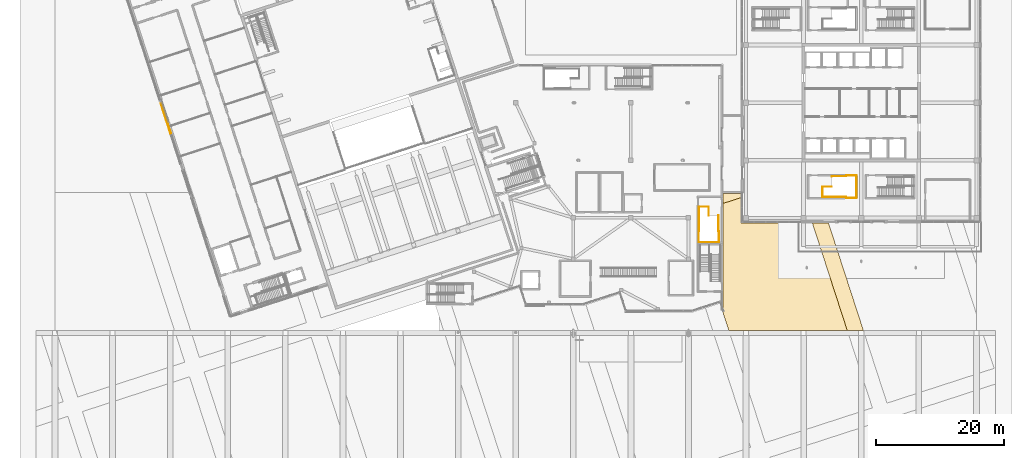
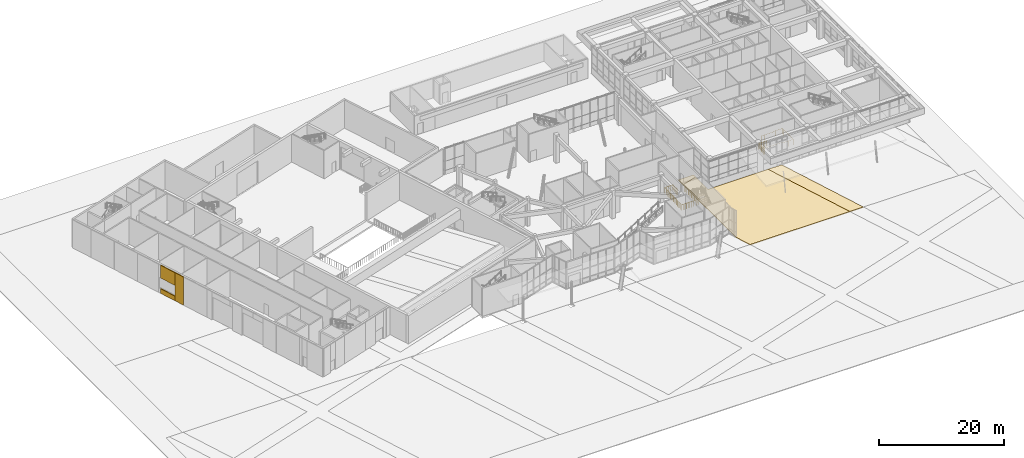
# One storey, part 65 of 72: 6 coverings, 4 railings.
"""IFC4 building model written with IfcOpenShell, lengths in metres."""

from ifc_helpers import new_model, si_unit, direction, frame, origin, origin_2d, place, context, subcontext, project, spatial, polyline, circle, outline, extrude, material, layer, layer_set, type_object, element, save


model = new_model("IFC4")

# Units and contexts
model_context = context("Model", 3, precision=1e-05, world=origin(), true_north=direction((0.0, 1.0)))
body_context = subcontext(model_context, "Body", "Model", "MODEL_VIEW")
ifc_project = project(units=[si_unit("LENGTHUNIT", "METRE"), si_unit("AREAUNIT", "SQUARE_METRE"), si_unit("VOLUMEUNIT", "CUBIC_METRE"), si_unit("PLANEANGLEUNIT", "RADIAN"), si_unit("MASSUNIT", "GRAM", prefix="KILO")], contexts=[model_context])

# Site, building, storey
site_placement = place(None, origin())
site = spatial("IfcSite", under=ifc_project, at=site_placement, CompositionType="ELEMENT")
building_placement = place(site_placement, origin())
building = spatial("IfcBuilding", under=site, at=building_placement, Name="Tuart Plaza Theatre", CompositionType="ELEMENT")
storey_placement = place(building_placement, origin())
storey = spatial("IfcBuildingStorey", under=building, at=storey_placement, Name="L00", CompositionType="ELEMENT", Elevation=0.0)

# Coverings
ifc_material_1 = material(Name="Concrete paving, power-floated cast in place", Category="concrete")
ifc_layer_1 = layer(ifc_material_1, 0.14990234375)
ifc_layer_set_1 = layer_set([ifc_layer_1], Name="COVERING-CAST-CONCRETE-PAVING150")
covering_type_1 = type_object("IfcCoveringType", Name="COVERING-CAST-CONCRETE-PAVING150", PredefinedType="FLOORING", material=ifc_layer_set_1)
covering_1_placement = place(storey_placement, frame((0.0, 0.0, -0.14990234375)))
element("IfcCovering", 1, at=covering_1_placement, inside=storey, type_object=covering_type_1, Name="D-COV-FORECOURT-CB-1-6", PredefinedType="FLOORING", context=body_context, shape_type="SweptSolid", body=[
    extrude(outline(polyline([(126.8837890625, 55.2001953125), (124.3603515625, 55.2001953125), (129.819091796875, 38.39990234375), (132.342529296875, 38.39990234375), (126.8837890625, 55.2001953125)])), origin(), (0.0, 0.0, 1.0), 0.14990234375),
])
covering_2_placement = place(storey_placement, frame((0.0, 0.0, -0.14990234375)))
element("IfcCovering", 2, at=covering_2_placement, inside=storey, type_object=covering_type_1, Name="D-COV-FORECOURT-CB-1-9", PredefinedType="FLOORING", context=body_context, shape_type="SweptSolid", body=[
    extrude(outline(polyline([(113.199951171875, 59.170166015625), (113.199951171875, 59.85009765625), (110.4130859375, 59.85009765625), (110.4130859375, 58.2646484375), (113.199951171875, 59.170166015625)])), origin(), (0.0, 0.0, 1.0), 0.14990234375),
])
ifc_material_2 = material(Name="Granite paving, honed", Category="masonry")
ifc_layer_2 = layer(ifc_material_2, 0.14990234375)
ifc_layer_set_2 = layer_set([ifc_layer_2], Name="COVERING-GRANITE-PAVING150")
covering_type_2 = type_object("IfcCoveringType", Name="COVERING-GRANITE-PAVING150", PredefinedType="FLOORING", material=ifc_layer_set_2)
covering_3_placement = place(storey_placement, frame((0.0, 0.0, -0.14990234375)))
element("IfcCovering", 3, at=covering_3_placement, inside=storey, type_object=covering_type_2, Name="D-COV-FORECOURT-GR-1-4", PredefinedType="FLOORING", context=body_context, shape_type="SweptSolid", body=[
    extrude(outline(polyline([(111.3134765625, 38.39990234375), (129.819091796875, 38.39990234375), (124.3603515625, 55.2001953125), (113.2451171875, 55.2001953125), (113.211181640625, 55.21826171875), (113.199951171875, 55.25), (113.199951171875, 59.170166015625), (110.4130859375, 58.2646484375), (110.4130859375, 41.29296875), (110.390625, 41.239990234375), (111.3134765625, 38.39990234375)])), origin(), (0.0, 0.0, 1.0), 0.14990234375),
])
ifc_material_3 = material(Name="Zinc")
ifc_layer_3 = layer(ifc_material_3, 0.14990234375)
ifc_layer_set_3 = layer_set([ifc_layer_3], Name="COVERING-ZINC-RAINSCREEN150")
covering_type_3 = type_object("IfcCoveringType", Name="COVERING-ZINC-RAINSCREEN150", PredefinedType="CLADDING", material=ifc_layer_set_3)
covering_4_placement = place(storey_placement, origin())
element("IfcCovering", 4, at=covering_4_placement, inside=storey, type_object=covering_type_3, Name="CL118", PredefinedType="CLADDING", context=body_context, shape_type="SweptSolid", body=[
    extrude(outline(polyline([(24.034423828125, 69.165771484375), (23.4658203125, 70.915771484375), (23.6083984375, 70.962158203125), (24.177001953125, 69.212158203125), (24.034423828125, 69.165771484375)])), origin(), (0.0, 0.0, 1.0), 5.5),
])
covering_5_placement = place(storey_placement, origin())
element("IfcCovering", 5, at=covering_5_placement, inside=storey, type_object=covering_type_3, Name="CL119", PredefinedType="CLADDING", context=body_context, shape_type="SweptSolid", body=[
    extrude(outline(polyline([(23.4658203125, 70.915771484375), (22.49560546875, 73.902099609375), (22.63818359375, 73.948486328125), (23.6083984375, 70.962158203125), (23.4658203125, 70.915771484375)])), origin(), (0.0, 0.0, 1.0), 0.89990234375),
])
covering_6_placement = place(storey_placement, frame((0.0, 0.0, 3.0)))
element("IfcCovering", 6, at=covering_6_placement, inside=storey, type_object=covering_type_3, Name="CL120", PredefinedType="CLADDING", context=body_context, shape_type="SweptSolid", body=[
    extrude(outline(polyline([(23.4658203125, 70.915771484375), (22.49560546875, 73.902099609375), (22.63818359375, 73.948486328125), (23.6083984375, 70.962158203125), (23.4658203125, 70.915771484375)])), origin(), (0.0, 0.0, 1.0), 2.5),
])

# Railings
ifc_material_4 = material(Name="Steel Grade C350L0", Category="steel")
railing_type = type_object("IfcRailingType", Name="RAILING Guard 1100", PredefinedType="GUARDRAIL", material=ifc_material_4)
railing_1_placement = place(storey_placement, frame((106.64990234375, 57.739990234375, 0.0)))
element("IfcRailing", 7, at=railing_1_placement, inside=storey, type_object=railing_type, Name="GR166", PredefinedType="GUARDRAIL", context=body_context, shape_type="SweptSolid", body=[
    extrude(circle(Radius=0.02490234375, at=origin_2d()), frame((0.0, 0.0, 1.0751953125), z_axis=(1.0, 0.0, 0.0), x_axis=(0.0, 1.0, 0.0)), (0.0, 0.0, 1.0), 1.525146484375),
    extrude(circle(Radius=0.02490234375, at=origin_2d()), frame((1.525146484375, 0.0, 1.0751953125), z_axis=(0.0, -1.0, 0.0), x_axis=(1.0, 0.0, 0.0)), (0.0, 0.0, 1.0), 1.35498046875),
    extrude(circle(Radius=0.02001953125, at=origin_2d()), origin(), (0.0, 0.0, 1.0), 1.050048828125),
    extrude(circle(Radius=0.02001953125, at=origin_2d()), frame((0.38134765625, 0.0, 0.0)), (0.0, 0.0, 1.0), 1.050048828125),
    extrude(circle(Radius=0.02001953125, at=origin_2d()), frame((0.7626953125, 0.0, 0.0)), (0.0, 0.0, 1.0), 1.050048828125),
    extrude(circle(Radius=0.02001953125, at=origin_2d()), frame((1.143798828125, 0.0, 0.0)), (0.0, 0.0, 1.0), 1.050048828125),
    extrude(circle(Radius=0.02001953125, at=origin_2d()), frame((1.525146484375, 0.0, 0.0)), (0.0, 0.0, 1.0), 1.050048828125),
    extrude(circle(Radius=0.02001953125, at=origin_2d()), frame((1.525146484375, -0.45166015625, 0.0)), (0.0, 0.0, 1.0), 1.050048828125),
    extrude(circle(Radius=0.02001953125, at=origin_2d()), frame((1.525146484375, -0.9033203125, 0.0)), (0.0, 0.0, 1.0), 1.050048828125),
    extrude(circle(Radius=0.02001953125, at=origin_2d()), frame((1.525146484375, -1.35498046875, 0.0)), (0.0, 0.0, 1.0), 1.050048828125),
])
railing_2_placement = place(storey_placement, frame((109.655029296875, 56.3798828125, 0.0)))
element("IfcRailing", 8, at=railing_2_placement, inside=storey, type_object=railing_type, Name="GR167", PredefinedType="GUARDRAIL", context=body_context, shape_type="SweptSolid", body=[
    extrude(circle(Radius=0.02490234375, at=origin_2d()), frame((0.0, 0.0, 1.0751953125), z_axis=(1.0, 0.0, 0.0), x_axis=(0.0, 1.0, 0.0)), (0.0, 0.0, 1.0), 0.044921875),
    extrude(circle(Radius=0.02490234375, at=origin_2d()), frame((0.044921875, 0.0, 1.0751953125), z_axis=(0.0, -1.0, 0.0), x_axis=(1.0, 0.0, 0.0)), (0.0, 0.0, 1.0), 2.429931640625),
    extrude(circle(Radius=0.02490234375, at=origin_2d()), frame((0.044921875, -2.429931640625, 1.0751953125), z_axis=(1.0, 0.0, 0.0), x_axis=(0.0, 1.0, 0.0)), (0.0, 0.0, 1.0), 0.050048828125),
    extrude(circle(Radius=0.02490234375, at=origin_2d()), frame((0.094970703125, -2.429931640625, 1.0751953125), z_axis=(0.0, -1.0, 0.0), x_axis=(1.0, 0.0, 0.0)), (0.0, 0.0, 1.0), 1.75),
    extrude(circle(Radius=0.02490234375, at=origin_2d()), frame((0.094970703125, -4.179931640625, 1.0751953125), z_axis=(-1.0, 0.0, 0.0), x_axis=(0.0, -1.0, 0.0)), (0.0, 0.0, 1.0), 3.14990234375),
    extrude(circle(Radius=0.02490234375, at=origin_2d()), frame((-3.054931640625, -4.179931640625, 1.0751953125), z_axis=(0.0, 1.0, 0.0), x_axis=(-1.0, 0.0, 0.0)), (0.0, 0.0, 1.0), 1.75),
    extrude(circle(Radius=0.02490234375, at=origin_2d()), frame((-3.054931640625, -2.429931640625, 1.0751953125), z_axis=(1.0, 0.0, 0.0), x_axis=(0.0, 1.0, 0.0)), (0.0, 0.0, 1.0), 0.0498046875),
    extrude(circle(Radius=0.02490234375, at=origin_2d()), frame((-3.005126953125, -2.429931640625, 1.0751953125), z_axis=(0.0, 1.0, 0.0), x_axis=(-1.0, 0.0, 0.0)), (0.0, 0.0, 1.0), 3.7900390625),
    extrude(circle(Radius=0.02001953125, at=origin_2d()), origin(), (0.0, 0.0, 1.0), 1.050048828125),
    extrude(circle(Radius=0.02001953125, at=origin_2d()), frame((0.044921875, 0.0, 0.0)), (0.0, 0.0, 1.0), 1.050048828125),
    extrude(circle(Radius=0.02001953125, at=origin_2d()), frame((0.044921875, -0.486083984375, 0.0)), (0.0, 0.0, 1.0), 1.050048828125),
    extrude(circle(Radius=0.02001953125, at=origin_2d()), frame((0.044921875, -0.971923828125, 0.0)), (0.0, 0.0, 1.0), 1.050048828125),
    extrude(circle(Radius=0.02001953125, at=origin_2d()), frame((0.044921875, -1.4580078125, 0.0)), (0.0, 0.0, 1.0), 1.050048828125),
    extrude(circle(Radius=0.02001953125, at=origin_2d()), frame((0.044921875, -1.94384765625, 0.0)), (0.0, 0.0, 1.0), 1.050048828125),
    extrude(circle(Radius=0.02001953125, at=origin_2d()), frame((0.044921875, -2.429931640625, 0.0)), (0.0, 0.0, 1.0), 1.050048828125),
    extrude(circle(Radius=0.02001953125, at=origin_2d()), frame((0.094970703125, -2.429931640625, 0.0)), (0.0, 0.0, 1.0), 1.050048828125),
    extrude(circle(Radius=0.02001953125, at=origin_2d()), frame((0.094970703125, -2.867431640625, 0.0)), (0.0, 0.0, 1.0), 1.050048828125),
    extrude(circle(Radius=0.02001953125, at=origin_2d()), frame((0.094970703125, -3.304931640625, 0.0)), (0.0, 0.0, 1.0), 1.050048828125),
    extrude(circle(Radius=0.02001953125, at=origin_2d()), frame((0.094970703125, -3.742431640625, 0.0)), (0.0, 0.0, 1.0), 1.050048828125),
    extrude(circle(Radius=0.02001953125, at=origin_2d()), frame((0.094970703125, -4.179931640625, 0.0)), (0.0, 0.0, 1.0), 1.050048828125),
    extrude(circle(Radius=0.02001953125, at=origin_2d()), frame((-0.35498046875, -4.179931640625, 0.0)), (0.0, 0.0, 1.0), 1.050048828125),
    extrude(circle(Radius=0.02001953125, at=origin_2d()), frame((-0.804931640625, -4.179931640625, 0.0)), (0.0, 0.0, 1.0), 1.050048828125),
    extrude(circle(Radius=0.02001953125, at=origin_2d()), frame((-1.2548828125, -4.179931640625, 0.0)), (0.0, 0.0, 1.0), 1.050048828125),
    extrude(circle(Radius=0.02001953125, at=origin_2d()), frame((-1.705078125, -4.179931640625, 0.0)), (0.0, 0.0, 1.0), 1.050048828125),
    extrude(circle(Radius=0.02001953125, at=origin_2d()), frame((-2.155029296875, -4.179931640625, 0.0)), (0.0, 0.0, 1.0), 1.050048828125),
    extrude(circle(Radius=0.02001953125, at=origin_2d()), frame((-2.60498046875, -4.179931640625, 0.0)), (0.0, 0.0, 1.0), 1.050048828125),
    extrude(circle(Radius=0.02001953125, at=origin_2d()), frame((-3.054931640625, -4.179931640625, 0.0)), (0.0, 0.0, 1.0), 1.050048828125),
    extrude(circle(Radius=0.02001953125, at=origin_2d()), frame((-3.054931640625, -3.742431640625, 0.0)), (0.0, 0.0, 1.0), 1.050048828125),
    extrude(circle(Radius=0.02001953125, at=origin_2d()), frame((-3.054931640625, -3.304931640625, 0.0)), (0.0, 0.0, 1.0), 1.050048828125),
    extrude(circle(Radius=0.02001953125, at=origin_2d()), frame((-3.054931640625, -2.867431640625, 0.0)), (0.0, 0.0, 1.0), 1.050048828125),
    extrude(circle(Radius=0.02001953125, at=origin_2d()), frame((-3.054931640625, -2.429931640625, 0.0)), (0.0, 0.0, 1.0), 1.050048828125),
    extrude(circle(Radius=0.02001953125, at=origin_2d()), frame((-3.005126953125, -2.429931640625, 0.0)), (0.0, 0.0, 1.0), 1.050048828125),
    extrude(circle(Radius=0.02001953125, at=origin_2d()), frame((-3.005126953125, -1.9560546875, 0.0)), (0.0, 0.0, 1.0), 1.050048828125),
    extrude(circle(Radius=0.02001953125, at=origin_2d()), frame((-3.005126953125, -1.482421875, 0.0)), (0.0, 0.0, 1.0), 1.050048828125),
    extrude(circle(Radius=0.02001953125, at=origin_2d()), frame((-3.005126953125, -1.0087890625, 0.0)), (0.0, 0.0, 1.0), 1.050048828125),
    extrude(circle(Radius=0.02001953125, at=origin_2d()), frame((-3.005126953125, -0.534912109375, 0.0)), (0.0, 0.0, 1.0), 1.050048828125),
    extrude(circle(Radius=0.02001953125, at=origin_2d()), frame((-3.005126953125, -0.06103515625, 0.0)), (0.0, 0.0, 1.0), 1.050048828125),
    extrude(circle(Radius=0.02001953125, at=origin_2d()), frame((-3.005126953125, 0.41259765625, 0.0)), (0.0, 0.0, 1.0), 1.050048828125),
    extrude(circle(Radius=0.02001953125, at=origin_2d()), frame((-3.005126953125, 0.88623046875, 0.0)), (0.0, 0.0, 1.0), 1.050048828125),
    extrude(circle(Radius=0.02001953125, at=origin_2d()), frame((-3.005126953125, 1.360107421875, 0.0)), (0.0, 0.0, 1.0), 1.050048828125),
])
railing_3_placement = place(storey_placement, frame((125.929931640625, 59.25, 0.0)))
element("IfcRailing", 9, at=railing_3_placement, inside=storey, type_object=railing_type, Name="GR441", PredefinedType="GUARDRAIL", context=body_context, shape_type="SweptSolid", body=[
    extrude(circle(Radius=0.02490234375, at=origin_2d()), frame((0.0, 0.0, 1.0751953125), z_axis=(0.0, 1.0, 0.0), x_axis=(-1.0, 0.0, 0.0)), (0.0, 0.0, 1.0), 1.625),
    extrude(circle(Radius=0.02490234375, at=origin_2d()), frame((0.0, 1.625, 1.0751953125), z_axis=(1.0, 0.0, 0.0), x_axis=(0.0, 1.0, 0.0)), (0.0, 0.0, 1.0), 1.455078125),
    extrude(circle(Radius=0.02001953125, at=origin_2d()), origin(), (0.0, 0.0, 1.0), 1.050048828125),
    extrude(circle(Radius=0.02001953125, at=origin_2d()), frame((0.0, 0.40625, 0.0)), (0.0, 0.0, 1.0), 1.050048828125),
    extrude(circle(Radius=0.02001953125, at=origin_2d()), frame((0.0, 0.8125, 0.0)), (0.0, 0.0, 1.0), 1.050048828125),
    extrude(circle(Radius=0.02001953125, at=origin_2d()), frame((0.0, 1.21875, 0.0)), (0.0, 0.0, 1.0), 1.050048828125),
    extrude(circle(Radius=0.02001953125, at=origin_2d()), frame((0.0, 1.625, 0.0)), (0.0, 0.0, 1.0), 1.050048828125),
    extrude(circle(Radius=0.02001953125, at=origin_2d()), frame((0.485107421875, 1.625, 0.0)), (0.0, 0.0, 1.0), 1.050048828125),
    extrude(circle(Radius=0.02001953125, at=origin_2d()), frame((0.969970703125, 1.625, 0.0)), (0.0, 0.0, 1.0), 1.050048828125),
    extrude(circle(Radius=0.02001953125, at=origin_2d()), frame((1.455078125, 1.625, 0.0)), (0.0, 0.0, 1.0), 1.050048828125),
])
railing_4_placement = place(storey_placement, frame((127.389892578125, 62.455078125, 0.0)))
element("IfcRailing", 10, at=railing_4_placement, inside=storey, type_object=railing_type, Name="GR442", PredefinedType="GUARDRAIL", context=body_context, shape_type="SweptSolid", body=[
    extrude(circle(Radius=0.02490234375, at=origin_2d()), frame((0.0, 0.0, 1.0751953125), z_axis=(0.0, 1.0, 0.0), x_axis=(-1.0, 0.0, 0.0)), (0.0, 0.0, 1.0), 0.044921875),
    extrude(circle(Radius=0.02490234375, at=origin_2d()), frame((0.0, 0.044921875, 1.0751953125), z_axis=(1.0, 0.0, 0.0), x_axis=(0.0, 1.0, 0.0)), (0.0, 0.0, 1.0), 2.260009765625),
    extrude(circle(Radius=0.02490234375, at=origin_2d()), frame((2.260009765625, 0.044921875, 1.0751953125), z_axis=(0.0, 1.0, 0.0), x_axis=(-1.0, 0.0, 0.0)), (0.0, 0.0, 1.0), 0.123046875),
    extrude(circle(Radius=0.02490234375, at=origin_2d()), frame((2.260009765625, 0.16796875, 1.0751953125), z_axis=(1.0, 0.0, 0.0), x_axis=(0.0, 1.0, 0.0)), (0.0, 0.0, 1.0), 1.630126953125),
    extrude(circle(Radius=0.02490234375, at=origin_2d()), frame((3.89013671875, 0.16796875, 1.0751953125), z_axis=(0.0, -1.0, 0.0), x_axis=(1.0, 0.0, 0.0)), (0.0, 0.0, 1.0), 3.49609375),
    extrude(circle(Radius=0.02490234375, at=origin_2d()), frame((3.89013671875, -3.328125, 1.0751953125), z_axis=(-1.0, 0.0, 0.0), x_axis=(0.0, -1.0, 0.0)), (0.0, 0.0, 1.0), 1.630126953125),
    extrude(circle(Radius=0.02490234375, at=origin_2d()), frame((2.260009765625, -3.328125, 1.0751953125), z_axis=(0.0, 1.0, 0.0), x_axis=(-1.0, 0.0, 0.0)), (0.0, 0.0, 1.0), 0.123046875),
    extrude(circle(Radius=0.02490234375, at=origin_2d()), frame((2.260009765625, -3.205078125, 1.0751953125), z_axis=(-1.0, 0.0, 0.0), x_axis=(0.0, -1.0, 0.0)), (0.0, 0.0, 1.0), 3.719970703125),
    extrude(circle(Radius=0.02001953125, at=origin_2d()), origin(), (0.0, 0.0, 1.0), 1.050048828125),
    extrude(circle(Radius=0.02001953125, at=origin_2d()), frame((0.0, 0.044921875, 0.0)), (0.0, 0.0, 1.0), 1.050048828125),
    extrude(circle(Radius=0.02001953125, at=origin_2d()), frame((0.451904296875, 0.044921875, 0.0)), (0.0, 0.0, 1.0), 1.050048828125),
    extrude(circle(Radius=0.02001953125, at=origin_2d()), frame((0.904052734375, 0.044921875, 0.0)), (0.0, 0.0, 1.0), 1.050048828125),
    extrude(circle(Radius=0.02001953125, at=origin_2d()), frame((1.35595703125, 0.044921875, 0.0)), (0.0, 0.0, 1.0), 1.050048828125),
    extrude(circle(Radius=0.02001953125, at=origin_2d()), frame((1.80810546875, 0.044921875, 0.0)), (0.0, 0.0, 1.0), 1.050048828125),
    extrude(circle(Radius=0.02001953125, at=origin_2d()), frame((2.260009765625, 0.044921875, 0.0)), (0.0, 0.0, 1.0), 1.050048828125),
    extrude(circle(Radius=0.02001953125, at=origin_2d()), frame((2.260009765625, 0.16796875, 0.0)), (0.0, 0.0, 1.0), 1.050048828125),
    extrude(circle(Radius=0.02001953125, at=origin_2d()), frame((2.66748046875, 0.16796875, 0.0)), (0.0, 0.0, 1.0), 1.050048828125),
    extrude(circle(Radius=0.02001953125, at=origin_2d()), frame((3.0751953125, 0.16796875, 0.0)), (0.0, 0.0, 1.0), 1.050048828125),
    extrude(circle(Radius=0.02001953125, at=origin_2d()), frame((3.482666015625, 0.16796875, 0.0)), (0.0, 0.0, 1.0), 1.050048828125),
    extrude(circle(Radius=0.02001953125, at=origin_2d()), frame((3.89013671875, 0.16796875, 0.0)), (0.0, 0.0, 1.0), 1.050048828125),
    extrude(circle(Radius=0.02001953125, at=origin_2d()), frame((3.89013671875, -0.33154296875, 0.0)), (0.0, 0.0, 1.0), 1.050048828125),
    extrude(circle(Radius=0.02001953125, at=origin_2d()), frame((3.89013671875, -0.830810546875, 0.0)), (0.0, 0.0, 1.0), 1.050048828125),
    extrude(circle(Radius=0.02001953125, at=origin_2d()), frame((3.89013671875, -1.330322265625, 0.0)), (0.0, 0.0, 1.0), 1.050048828125),
    extrude(circle(Radius=0.02001953125, at=origin_2d()), frame((3.89013671875, -1.829833984375, 0.0)), (0.0, 0.0, 1.0), 1.050048828125),
    extrude(circle(Radius=0.02001953125, at=origin_2d()), frame((3.89013671875, -2.329345703125, 0.0)), (0.0, 0.0, 1.0), 1.050048828125),
    extrude(circle(Radius=0.02001953125, at=origin_2d()), frame((3.89013671875, -2.82861328125, 0.0)), (0.0, 0.0, 1.0), 1.050048828125),
    extrude(circle(Radius=0.02001953125, at=origin_2d()), frame((3.89013671875, -3.328125, 0.0)), (0.0, 0.0, 1.0), 1.050048828125),
    extrude(circle(Radius=0.02001953125, at=origin_2d()), frame((3.482666015625, -3.328125, 0.0)), (0.0, 0.0, 1.0), 1.050048828125),
    extrude(circle(Radius=0.02001953125, at=origin_2d()), frame((3.0751953125, -3.328125, 0.0)), (0.0, 0.0, 1.0), 1.050048828125),
    extrude(circle(Radius=0.02001953125, at=origin_2d()), frame((2.66748046875, -3.328125, 0.0)), (0.0, 0.0, 1.0), 1.050048828125),
    extrude(circle(Radius=0.02001953125, at=origin_2d()), frame((2.260009765625, -3.328125, 0.0)), (0.0, 0.0, 1.0), 1.050048828125),
    extrude(circle(Radius=0.02001953125, at=origin_2d()), frame((2.260009765625, -3.205078125, 0.0)), (0.0, 0.0, 1.0), 1.050048828125),
    extrude(circle(Radius=0.02001953125, at=origin_2d()), frame((1.794921875, -3.205078125, 0.0)), (0.0, 0.0, 1.0), 1.050048828125),
    extrude(circle(Radius=0.02001953125, at=origin_2d()), frame((1.330078125, -3.205078125, 0.0)), (0.0, 0.0, 1.0), 1.050048828125),
    extrude(circle(Radius=0.02001953125, at=origin_2d()), frame((0.864990234375, -3.205078125, 0.0)), (0.0, 0.0, 1.0), 1.050048828125),
    extrude(circle(Radius=0.02001953125, at=origin_2d()), frame((0.39990234375, -3.205078125, 0.0)), (0.0, 0.0, 1.0), 1.050048828125),
    extrude(circle(Radius=0.02001953125, at=origin_2d()), frame((-0.06494140625, -3.205078125, 0.0)), (0.0, 0.0, 1.0), 1.050048828125),
    extrude(circle(Radius=0.02001953125, at=origin_2d()), frame((-0.530029296875, -3.205078125, 0.0)), (0.0, 0.0, 1.0), 1.050048828125),
    extrude(circle(Radius=0.02001953125, at=origin_2d()), frame((-0.994873046875, -3.205078125, 0.0)), (0.0, 0.0, 1.0), 1.050048828125),
    extrude(circle(Radius=0.02001953125, at=origin_2d()), frame((-1.4599609375, -3.205078125, 0.0)), (0.0, 0.0, 1.0), 1.050048828125),
])

save(model, "model.ifc")
